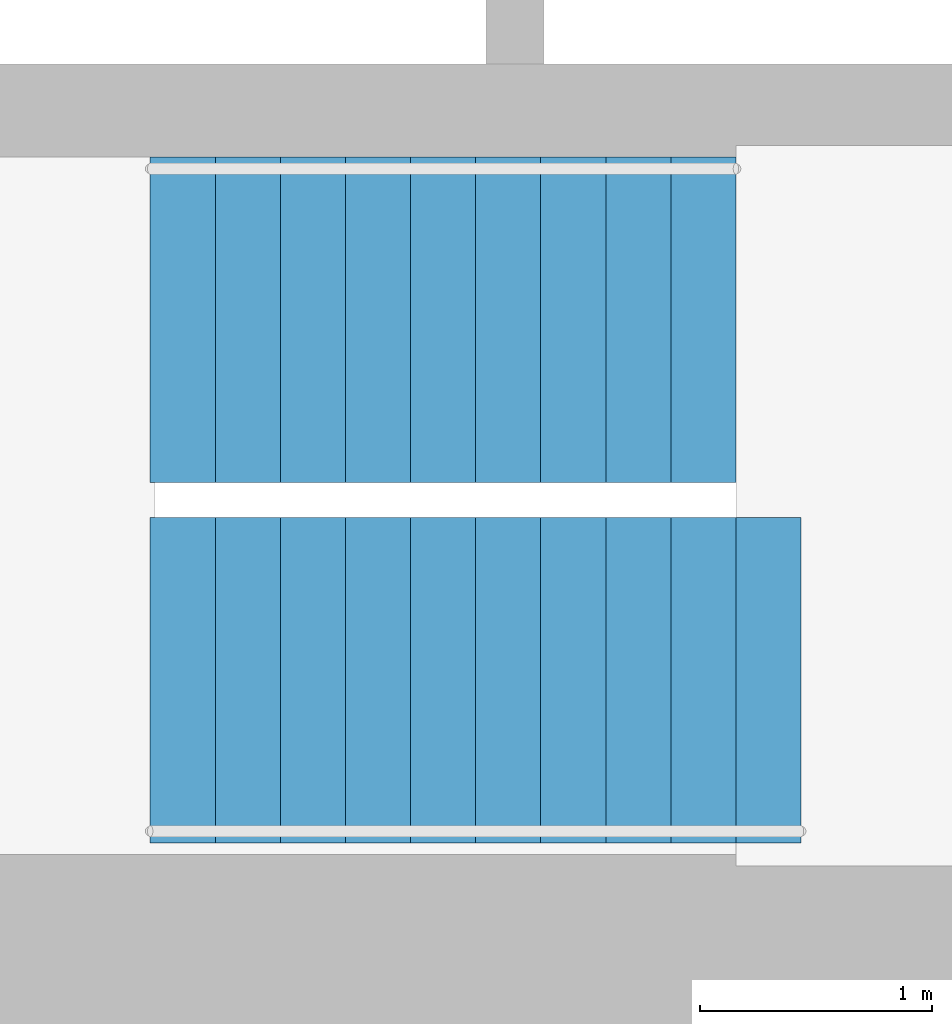
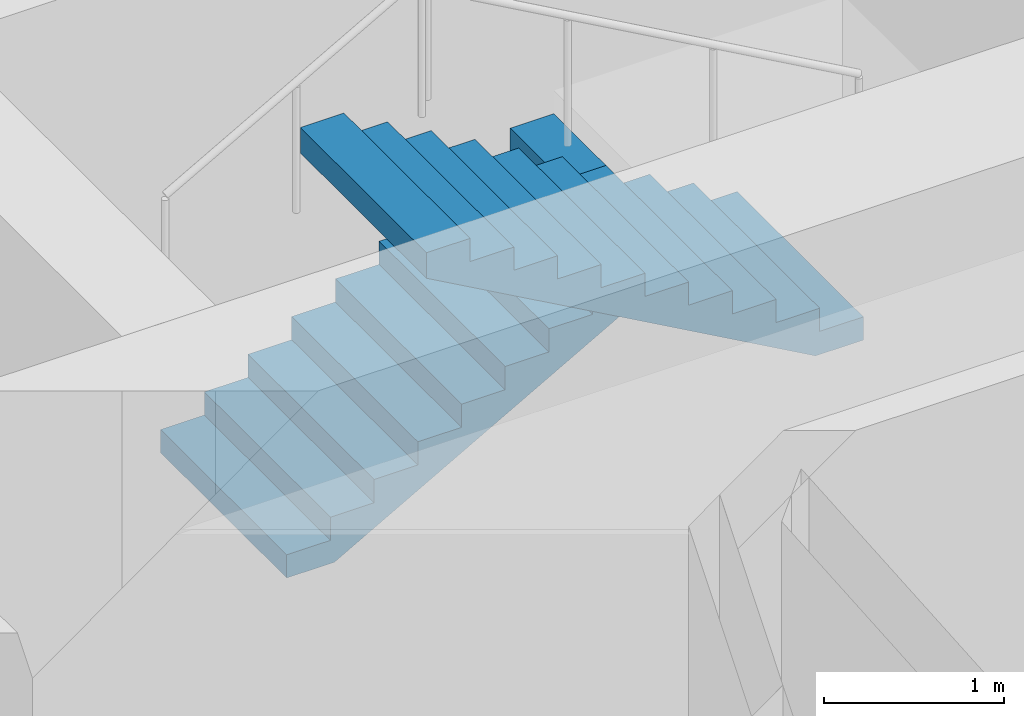
# One storey, part 13 of 14: 2 stair flights, 1 element without a shape of its own.
"""IFC4 building model written with IfcOpenShell, lengths in metres."""

from ifc_helpers import new_model, si_unit, direction, frame, origin, place, context, subcontext, project, spatial, polyline, outline, extrude, material, type_object, element, aggregate, save


model = new_model("IFC4")

# Units and contexts
model_context = context("Model", 3, precision=1e-05, world=origin(), true_north=direction((0.0, 1.0)))
body_context = subcontext(model_context, "Body", "Model", "MODEL_VIEW")
ifc_project = project(units=[si_unit("LENGTHUNIT", "METRE"), si_unit("AREAUNIT", "SQUARE_METRE"), si_unit("VOLUMEUNIT", "CUBIC_METRE"), si_unit("PLANEANGLEUNIT", "RADIAN"), si_unit("MASSUNIT", "GRAM", prefix="KILO")], contexts=[model_context])

# Site, building, storey
site_placement = place(None, origin())
site = spatial("IfcSite", under=ifc_project, at=site_placement, CompositionType="ELEMENT")
building_placement = place(site_placement, origin())
building = spatial("IfcBuilding", under=site, at=building_placement, Name="Hankou Lantern Tower", CompositionType="ELEMENT")
storey_placement = place(building_placement, frame((0.0, 0.0, 32.699951171875)))
storey = spatial("IfcBuildingStorey", under=building, at=storey_placement, Name="L06", CompositionType="ELEMENT", Elevation=32.699951171875)

# Stair, stair flights
ifc_material_1 = material(Name="Concrete C40", Category="concrete")
stair_type = type_object("IfcStairType", Name="ST33 CORE STAIR 3300 RISE", PredefinedType="HALF_TURN_STAIR", material=ifc_material_1)
stair_placement = place(storey_placement, origin())
stair = element("IfcStair", 1, at=stair_placement, inside=storey, type_object=stair_type, Name="Stair STB L06", PredefinedType="HALF_TURN_STAIR")
ifc_material_2 = material(Name="Concrete C40", Category="concrete")
stair_flight_type_1 = type_object("IfcStairFlightType", Name="CF10 CORE STAIR FLIGHT 1400 X 10 RISERS", PredefinedType="STRAIGHT", material=ifc_material_2)
stair_flight_1_placement = place(storey_placement, frame((4.429931640625, -5.199951171875, 0.0), z_axis=(0.0, 0.0, 1.0), x_axis=(1.0, 0.0, 0.0)))
stair_flight_1 = element("IfcStairFlight", 2, at=stair_flight_1_placement, type_object=stair_flight_type_1, Name="STB flight 1", NumberOfRisers=10, NumberOfTreads=9, PredefinedType="STRAIGHT", RiserHeight=0.157142857, TreadLength=0.28, context=body_context, shape_type="SweptSolid", body=[
    extrude(outline(polyline([(0.0, 0.0), (0.0, 0.1572265625), (0.280029296875, 0.1572265625), (0.280029296875, 0.314208984375), (0.56005859375, 0.314208984375), (0.56005859375, 0.471435546875), (0.840087890625, 0.471435546875), (0.840087890625, 0.628662109375), (1.1201171875, 0.628662109375), (1.1201171875, 0.78564453125), (1.39990234375, 0.78564453125), (1.39990234375, 0.94287109375), (1.679931640625, 0.94287109375), (1.679931640625, 1.10009765625), (1.9599609375, 1.10009765625), (1.9599609375, 1.257080078125), (2.239990234375, 1.257080078125), (2.239990234375, 1.414306640625), (2.52001953125, 1.414306640625), (2.52001953125, 1.571533203125), (2.52001953125, 1.242431640625), (0.306396484375, 0.0), (0.0, 0.0)])), frame((0.0, 0.699951171875, 0.0), z_axis=(0.0, -1.0, 0.0), x_axis=(1.0, 0.0, 0.0)), (0.0, 0.0, 1.0), 1.39990234375),
])
ifc_material_3 = material(Name="Concrete C40", Category="concrete")
stair_flight_type_2 = type_object("IfcStairFlightType", Name="CF11 CORE STAIR FLIGHT 1400 X 11 RISERS", PredefinedType="STRAIGHT", material=ifc_material_3)
stair_flight_2_placement = place(storey_placement, frame((7.22998046875, -6.75, 1.571533203125), z_axis=(0.0, 0.0, 1.0), x_axis=(-1.0, 0.0, 0.0)))
stair_flight_2 = element("IfcStairFlight", 3, at=stair_flight_2_placement, type_object=stair_flight_type_2, Name="STB flight 2", NumberOfRisers=11, NumberOfTreads=10, PredefinedType="STRAIGHT", RiserHeight=0.157142857, TreadLength=0.28, context=body_context, shape_type="SweptSolid", body=[
    extrude(outline(polyline([(0.0, 0.0), (0.0, 0.1572265625), (0.280029296875, 0.1572265625), (0.280029296875, 0.314208984375), (0.56005859375, 0.314208984375), (0.56005859375, 0.471435546875), (0.840087890625, 0.471435546875), (0.840087890625, 0.628662109375), (1.1201171875, 0.628662109375), (1.1201171875, 0.78564453125), (1.39990234375, 0.78564453125), (1.39990234375, 0.94287109375), (1.679931640625, 0.94287109375), (1.679931640625, 1.10009765625), (1.9599609375, 1.10009765625), (1.9599609375, 1.257080078125), (2.239990234375, 1.257080078125), (2.239990234375, 1.414306640625), (2.52001953125, 1.414306640625), (2.52001953125, 1.571533203125), (2.800048828125, 1.571533203125), (2.800048828125, 1.728515625), (2.800048828125, 1.3994140625), (0.306396484375, 0.0), (0.0, 0.0)])), frame((0.0, 0.699951171875, 0.0), z_axis=(0.0, -1.0, 0.0), x_axis=(1.0, 0.0, 0.0)), (0.0, 0.0, 1.0), 1.39990234375),
])
aggregate(stair, [stair_flight_1, stair_flight_2])

save(model, "model.ifc")
